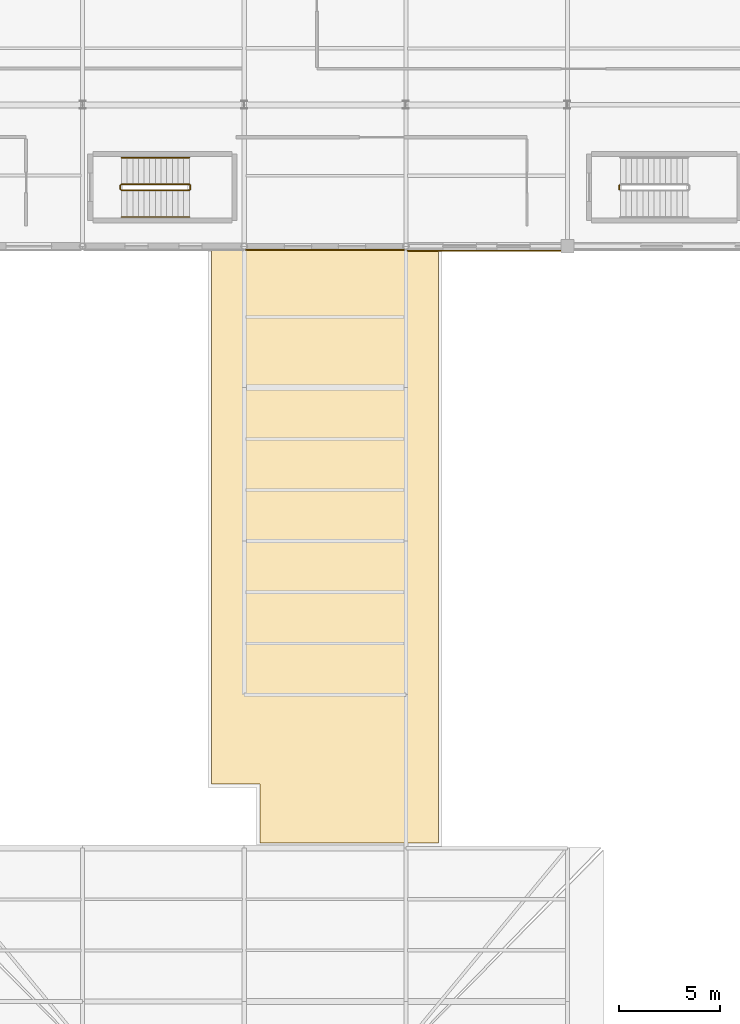
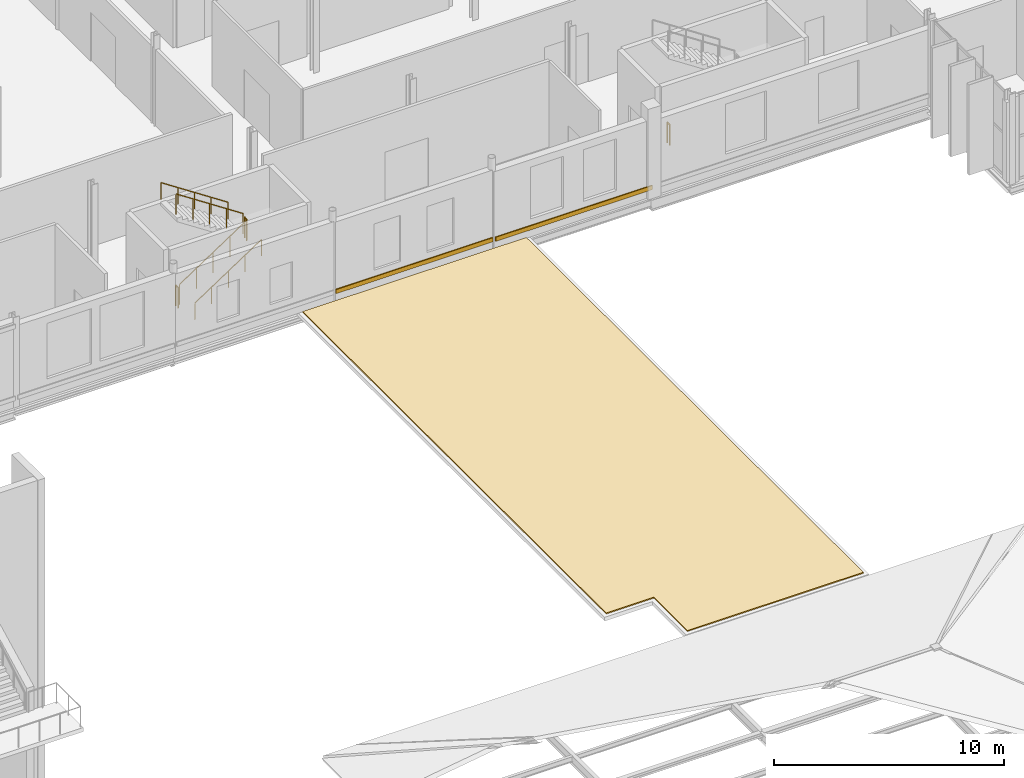
# One storey, part 107 of 120: 7 railings, 3 coverings.
"""IFC4 building model written with IfcOpenShell, lengths in metres."""

from ifc_helpers import new_model, si_unit, direction, frame, origin, origin_2d, place, context, subcontext, project, spatial, polyline, rectangle, circle, outline, extrude, material, layer, layer_set, type_object, element, save


model = new_model("IFC4")

# Units and contexts
model_context = context("Model", 3, precision=1e-05, world=origin(), true_north=direction((0.0, 1.0)))
body_context = subcontext(model_context, "Body", "Model", "MODEL_VIEW")
ifc_project = project(units=[si_unit("LENGTHUNIT", "METRE"), si_unit("AREAUNIT", "SQUARE_METRE"), si_unit("VOLUMEUNIT", "CUBIC_METRE"), si_unit("PLANEANGLEUNIT", "RADIAN"), si_unit("MASSUNIT", "GRAM", prefix="KILO")], contexts=[model_context])

# Site, building, storey
site_placement = place(None, origin())
site = spatial("IfcSite", under=ifc_project, at=site_placement, CompositionType="ELEMENT")
building_placement = place(site_placement, origin())
building = spatial("IfcBuilding", under=site, at=building_placement, Name="Vekula Escarpment Museum", CompositionType="ELEMENT")
storey_placement = place(building_placement, frame((0.0, 0.0, 13.199951171875)))
storey = spatial("IfcBuildingStorey", under=building, at=storey_placement, Name="L03", CompositionType="ELEMENT", Elevation=13.199951171875)

# Coverings
ifc_material_1 = material(Name="Polychrome limestone almasik string-course band", Category="masonry")
ifc_layer_1 = layer(ifc_material_1, 0.06005859375)
ifc_layer_set_1 = layer_set([ifc_layer_1], Name="Polychrome limestone almasik string-course band")
covering_type_1 = type_object("IfcCoveringType", Name="COV-ALM-BAND", PredefinedType="CLADDING", material=ifc_layer_set_1)
for number, where, z_axis, x_axis, name in (
    (1, (44.0, 52.424072265625, 0.41015625), (0.0, 0.0, 1.0), (1.0, 0.0, 0.0), "Almasik Stone String Course L03-0506"),
    (2, (52.0, 52.384033203125, 0.41015625), (0.0, 0.0, 1.0), (1.0, 0.0, 0.0), "Almasik Stone String Course L03-0507"),
):
    element("IfcCovering", number, at=place(storey_placement, frame(where, z_axis=z_axis, x_axis=x_axis)), inside=storey, type_object=covering_type_1, Name=name, PredefinedType="CLADDING", context=body_context, shape_type="SweptSolid", body=[
        extrude(rectangle(XDim=7.8798828125, YDim=0.06005859375, at=origin_2d()), origin(), (0.0, 0.0, 1.0), 0.219970703125),
    ])
ifc_material_2 = material(Name="Standing-seam patinated copper roofing", Category="metal")
ifc_layer_2 = layer(ifc_material_2, 0.06005859375)
ifc_layer_set_2 = layer_set([ifc_layer_2], Name="Standing-seam patinated copper roofing")
covering_type_2 = type_object("IfcCoveringType", Name="COV-ROOF-COPPER", PredefinedType="ROOFING", material=ifc_layer_set_2)
covering_placement = place(storey_placement, origin())
element("IfcCovering", 3, at=covering_placement, inside=storey, type_object=covering_type_2, Name="Overhanging Eave Roof Covering R-L03-SLK4", PredefinedType="ROOFING", context=body_context, shape_type="SweptSolid", body=[
    extrude(outline(polyline([(40.780029296875, 25.97998046875), (38.3798828125, 25.97998046875), (38.3798828125, 52.389892578125), (49.6201171875, 52.389892578125), (49.6201171875, 23.06005859375), (40.780029296875, 23.06005859375), (40.780029296875, 25.97998046875)])), origin(), (0.0, 0.0, 1.0), 0.06005859375),
])

# Railings
ifc_material_3 = material(Name="Painted Steel S355 stair guard", Category="steel")
railing_type_1 = type_object("IfcRailingType", Name="RL-STAIR-GUARD", PredefinedType="GUARDRAIL", material=ifc_material_3)
railing_1_placement = place(storey_placement, frame((58.570068359375, 55.419921875, 0.0)))
element("IfcRailing", 4, at=railing_1_placement, inside=storey, type_object=railing_type_1, Name="L03 ST-01 stair guard 4", PredefinedType="GUARDRAIL", context=body_context, shape_type="SweptSolid", body=[
    extrude(circle(Radius=0.02392578125, at=origin_2d()), frame((0.0, 0.0, 1.076171875), z_axis=(0.0, 1.0, 0.0), x_axis=(-1.0, 0.0, 0.0)), (0.0, 0.0, 1.0), 0.2001953125),
    extrude(circle(Radius=0.02099609375, at=origin_2d()), origin(), (0.0, 0.0, 1.0), 1.052001953125),
    extrude(circle(Radius=0.02099609375, at=origin_2d()), frame((0.0, 0.2001953125, 0.0)), (0.0, 0.0, 1.0), 1.052001953125),
])
railing_2_placement = place(storey_placement, frame((33.919921875, 55.3701171875, 0.1845703125)))
element("IfcRailing", 5, at=railing_2_placement, inside=storey, type_object=railing_type_1, Name="L03 ST-04 stair guard 1", PredefinedType="GUARDRAIL", context=body_context, shape_type="SweptSolid", body=[
    extrude(circle(Radius=0.02392578125, at=origin_2d()), frame((0.0, 0.0, 1.076171875), z_axis=(0.834848600103, 0.0, 0.550479622607), x_axis=(0.0, 1.0, 0.0)), (0.0, 0.0, 1.0), 4.02490234375),
    extrude(circle(Radius=0.02099609375, at=origin_2d()), origin(), (0.0, 0.0, 1.0), 1.052001953125),
    extrude(circle(Radius=0.02099609375, at=origin_2d()), frame((0.840087890625, 0.0, 0.553955078125)), (0.0, 0.0, 1.0), 1.052001953125),
    extrude(circle(Radius=0.02099609375, at=origin_2d()), frame((1.68017578125, 0.0, 1.10791015625)), (0.0, 0.0, 1.0), 1.052001953125),
    extrude(circle(Radius=0.02099609375, at=origin_2d()), frame((2.52001953125, 0.0, 1.66162109375)), (0.0, 0.0, 1.0), 1.052001953125),
    extrude(circle(Radius=0.02099609375, at=origin_2d()), frame((3.360107421875, 0.0, 2.215576171875)), (0.0, 0.0, 1.0), 1.052001953125),
])
railing_3_placement = place(storey_placement, frame((37.330078125, 55.419921875, 2.400146484375)))
element("IfcRailing", 6, at=railing_3_placement, inside=storey, type_object=railing_type_1, Name="L03 ST-04 stair guard 2", PredefinedType="GUARDRAIL", context=body_context, shape_type="SweptSolid", body=[
    extrude(circle(Radius=0.02392578125, at=origin_2d()), frame((0.0, 0.0, 1.076171875), z_axis=(0.0, 1.0, 0.0), x_axis=(-1.0, 0.0, 0.0)), (0.0, 0.0, 1.0), 0.2001953125),
    extrude(circle(Radius=0.02099609375, at=origin_2d()), origin(), (0.0, 0.0, 1.0), 1.052001953125),
    extrude(circle(Radius=0.02099609375, at=origin_2d()), frame((0.0, 0.2001953125, 0.0)), (0.0, 0.0, 1.0), 1.052001953125),
])
railing_4_placement = place(storey_placement, frame((37.280029296875, 55.669921875, 2.584716796875)))
element("IfcRailing", 7, at=railing_4_placement, inside=storey, type_object=railing_type_1, Name="L03 ST-04 stair guard 3", PredefinedType="GUARDRAIL", context=body_context, shape_type="SweptSolid", body=[
    extrude(circle(Radius=0.02392578125, at=origin_2d()), frame((0.0, 0.0, 1.076171875), z_axis=(-0.834876476806, 0.0, 0.550437342915), x_axis=(0.0, -1.0, 0.0)), (0.0, 0.0, 1.0), 4.024658203125),
    extrude(circle(Radius=0.02099609375, at=origin_2d()), origin(), (0.0, 0.0, 1.0), 1.052001953125),
    extrude(circle(Radius=0.02099609375, at=origin_2d()), frame((-0.840087890625, 0.0, 0.5537109375)), (0.0, 0.0, 1.0), 1.052001953125),
    extrude(circle(Radius=0.02099609375, at=origin_2d()), frame((-1.68017578125, 0.0, 1.107666015625)), (0.0, 0.0, 1.0), 1.052001953125),
    extrude(circle(Radius=0.02099609375, at=origin_2d()), frame((-2.52001953125, 0.0, 1.66162109375)), (0.0, 0.0, 1.0), 1.052001953125),
    extrude(circle(Radius=0.02099609375, at=origin_2d()), frame((-3.360107421875, 0.0, 2.21533203125)), (0.0, 0.0, 1.0), 1.052001953125),
])
railing_5_placement = place(storey_placement, frame((33.8701171875, 55.419921875, 0.0)))
element("IfcRailing", 8, at=railing_5_placement, inside=storey, type_object=railing_type_1, Name="L03 ST-04 stair guard 4", PredefinedType="GUARDRAIL", context=body_context, shape_type="SweptSolid", body=[
    extrude(circle(Radius=0.02392578125, at=origin_2d()), frame((0.0, 0.0, 1.076171875), z_axis=(0.0, 1.0, 0.0), x_axis=(-1.0, 0.0, 0.0)), (0.0, 0.0, 1.0), 0.2001953125),
    extrude(circle(Radius=0.02099609375, at=origin_2d()), origin(), (0.0, 0.0, 1.0), 1.052001953125),
    extrude(circle(Radius=0.02099609375, at=origin_2d()), frame((0.0, 0.2001953125, 0.0)), (0.0, 0.0, 1.0), 1.052001953125),
])
ifc_material_4 = material(Name="Brushed stainless steel handrail", Category="steel")
railing_type_2 = type_object("IfcRailingType", Name="RL-STAIR-HAND", PredefinedType="HANDRAIL", material=ifc_material_4)
railing_6_placement = place(storey_placement, frame((33.919921875, 54.050048828125, 0.1845703125)))
element("IfcRailing", 9, at=railing_6_placement, inside=storey, type_object=railing_type_2, Name="L03 ST-04 stair handrail 1", PredefinedType="HANDRAIL", context=body_context, shape_type="SweptSolid", body=[
    extrude(circle(Radius=0.02392578125, at=origin_2d()), frame((0.0, 0.0, 0.8759765625), z_axis=(0.834848600103, 0.0, 0.550479622607), x_axis=(0.0, 1.0, 0.0)), (0.0, 0.0, 1.0), 4.02490234375),
    extrude(circle(Radius=0.02099609375, at=origin_2d()), origin(), (0.0, 0.0, 1.0), 0.851806640625),
    extrude(circle(Radius=0.02099609375, at=origin_2d()), frame((0.840087890625, 0.0, 0.553955078125)), (0.0, 0.0, 1.0), 0.851806640625),
    extrude(circle(Radius=0.02099609375, at=origin_2d()), frame((1.68017578125, 0.0, 1.10791015625)), (0.0, 0.0, 1.0), 0.851806640625),
    extrude(circle(Radius=0.02099609375, at=origin_2d()), frame((2.52001953125, 0.0, 1.66162109375)), (0.0, 0.0, 1.0), 0.851806640625),
    extrude(circle(Radius=0.02099609375, at=origin_2d()), frame((3.360107421875, 0.0, 2.215576171875)), (0.0, 0.0, 1.0), 0.851806640625),
])
railing_7_placement = place(storey_placement, frame((37.280029296875, 56.989990234375, 2.584716796875)))
element("IfcRailing", 10, at=railing_7_placement, inside=storey, type_object=railing_type_2, Name="L03 ST-04 stair handrail 2", PredefinedType="HANDRAIL", context=body_context, shape_type="SweptSolid", body=[
    extrude(circle(Radius=0.02392578125, at=origin_2d()), frame((0.0, 0.0, 0.8759765625), z_axis=(-0.834876476806, 0.0, 0.550437342915), x_axis=(0.0, -1.0, 0.0)), (0.0, 0.0, 1.0), 4.024658203125),
    extrude(circle(Radius=0.02099609375, at=origin_2d()), origin(), (0.0, 0.0, 1.0), 0.851806640625),
    extrude(circle(Radius=0.02099609375, at=origin_2d()), frame((-0.840087890625, 0.0, 0.5537109375)), (0.0, 0.0, 1.0), 0.851806640625),
    extrude(circle(Radius=0.02099609375, at=origin_2d()), frame((-1.68017578125, 0.0, 1.107666015625)), (0.0, 0.0, 1.0), 0.851806640625),
    extrude(circle(Radius=0.02099609375, at=origin_2d()), frame((-2.52001953125, 0.0, 1.66162109375)), (0.0, 0.0, 1.0), 0.851806640625),
    extrude(circle(Radius=0.02099609375, at=origin_2d()), frame((-3.360107421875, 0.0, 2.21533203125)), (0.0, 0.0, 1.0), 0.851806640625),
])

save(model, "model.ifc")
